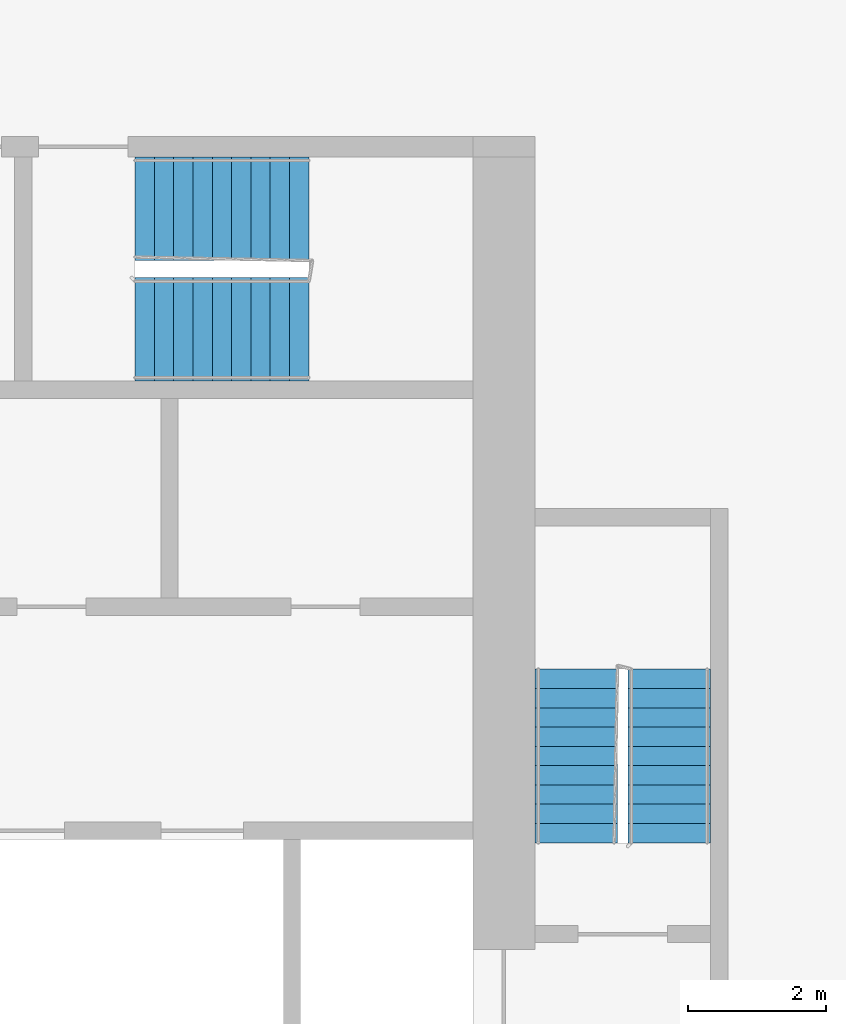
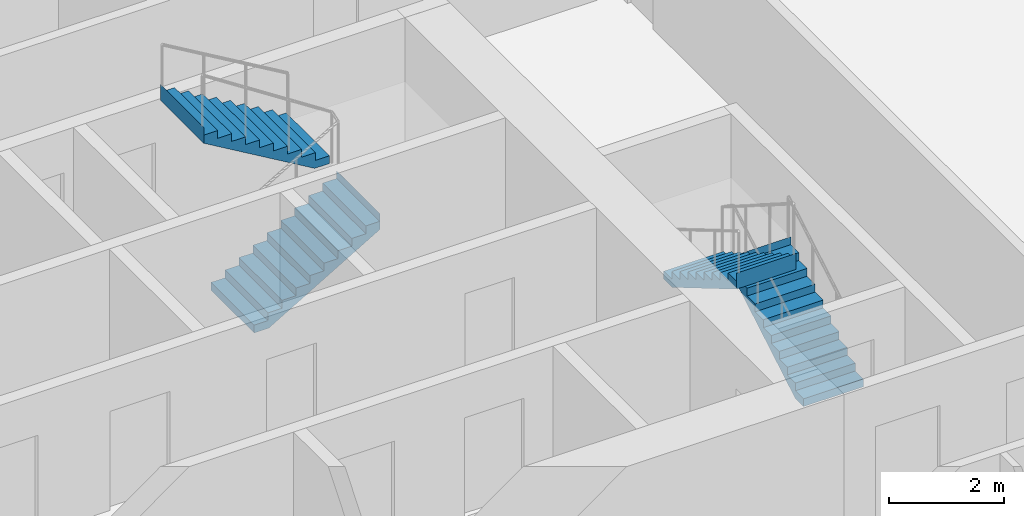
# One storey, part 10 of 11: 4 stair flights, 2 elements without a shape of their own.
"""IFC4 building model written with IfcOpenShell, lengths in metres."""

from ifc_helpers import new_model, si_unit, direction, frame, origin, place, context, subcontext, project, spatial, faceted_brep, material, type_object, element, aggregate, save


model = new_model("IFC4")

# Units and contexts
model_context = context("Model", 3, precision=1e-05, world=origin(), true_north=direction((0.0, 1.0)))
body_context = subcontext(model_context, "Body", "Model", "MODEL_VIEW")
ifc_project = project(units=[si_unit("LENGTHUNIT", "METRE"), si_unit("AREAUNIT", "SQUARE_METRE"), si_unit("VOLUMEUNIT", "CUBIC_METRE"), si_unit("PLANEANGLEUNIT", "RADIAN"), si_unit("MASSUNIT", "GRAM", prefix="KILO")], contexts=[model_context])

# Site, building, storey
site_placement = place(None, origin())
site = spatial("IfcSite", under=ifc_project, at=site_placement, CompositionType="ELEMENT")
building_placement = place(site_placement, origin())
building = spatial("IfcBuilding", under=site, at=building_placement, Name="Kajstack Hotel Tower", CompositionType="ELEMENT")
storey_placement = place(building_placement, frame((0.0, 0.0, 254.0)))
storey = spatial("IfcBuildingStorey", under=building, at=storey_placement, Name="L63", CompositionType="ELEMENT", Elevation=254.0)

# Stair, stair flights
ifc_material = material(Name="Concrete C40/50", Category="concrete")
stair_type_1 = type_object("IfcStairType", Name="Exit stair 1200", PredefinedType="HALF_TURN_STAIR", material=ifc_material)
stair_1_placement = place(storey_placement, origin())
stair_1 = element("IfcStair", 1, at=stair_1_placement, inside=storey, type_object=stair_type_1, Name="L63 stair E1", PredefinedType="HALF_TURN_STAIR")
stair_flight_type_1 = type_object("IfcStairFlightType", Name="Exit stair flight 1200", PredefinedType="STRAIGHT", material=ifc_material)
stair_flight_1_placement = place(storey_placement, frame((33.449951171875, 5.25, 0.0), z_axis=(0.0, 0.0, 1.0), x_axis=(0.0, 1.0, 0.0)))
stair_flight_1 = element("IfcStairFlight", 2, at=stair_flight_1_placement, type_object=stair_flight_type_1, Name="E1 flight 1", NumberOfRisers=10, NumberOfTreads=9, PredefinedType="STRAIGHT", RiserHeight=0.165, TreadLength=0.28, context=body_context, shape_type="Brep", body=[
    faceted_brep([(0.295654296875, -0.60009765625, 0.0), (2.5205078125, -0.60009765625, 1.31103515625), (2.5205078125, -0.60009765625, 1.64990234375), (2.52001953125, -0.60009765625, 1.64990234375), (2.52001953125, -0.60009765625, 1.485107421875), (2.239990234375, -0.60009765625, 1.485107421875), (2.239990234375, -0.60009765625, 1.320068359375), (1.9599609375, -0.60009765625, 1.320068359375), (1.9599609375, -0.60009765625, 1.155029296875), (1.679931640625, -0.60009765625, 1.155029296875), (1.679931640625, -0.60009765625, 0.989990234375), (1.39990234375, -0.60009765625, 0.989990234375), (1.39990234375, -0.60009765625, 0.824951171875), (1.1201171875, -0.60009765625, 0.824951171875), (1.1201171875, -0.60009765625, 0.659912109375), (0.840087890625, -0.60009765625, 0.659912109375), (0.840087890625, -0.60009765625, 0.4951171875), (0.56005859375, -0.60009765625, 0.4951171875), (0.56005859375, -0.60009765625, 0.330078125), (0.280029296875, -0.60009765625, 0.330078125), (0.280029296875, -0.60009765625, 0.1650390625), (-0.00048828125, -0.60009765625, 0.1650390625), (-0.00048828125, -0.60009765625, 0.0), (-0.00048828125, 0.60009765625, 0.0), (-0.00048828125, 0.60009765625, 0.1650390625), (0.280029296875, 0.60009765625, 0.1650390625), (0.280029296875, 0.60009765625, 0.330078125), (0.56005859375, 0.60009765625, 0.330078125), (0.56005859375, 0.60009765625, 0.4951171875), (0.840087890625, 0.60009765625, 0.4951171875), (0.840087890625, 0.60009765625, 0.659912109375), (1.1201171875, 0.60009765625, 0.659912109375), (1.1201171875, 0.60009765625, 0.824951171875), (1.39990234375, 0.60009765625, 0.824951171875), (1.39990234375, 0.60009765625, 0.989990234375), (1.679931640625, 0.60009765625, 0.989990234375), (1.679931640625, 0.60009765625, 1.155029296875), (1.9599609375, 0.60009765625, 1.155029296875), (1.9599609375, 0.60009765625, 1.320068359375), (2.239990234375, 0.60009765625, 1.320068359375), (2.239990234375, 0.60009765625, 1.485107421875), (2.52001953125, 0.60009765625, 1.485107421875), (2.52001953125, 0.60009765625, 1.64990234375), (2.5205078125, 0.60009765625, 1.64990234375), (2.5205078125, 0.60009765625, 1.31103515625), (0.295654296875, 0.60009765625, 0.0), (-0.00048828125, -0.300048828125, 0.1650390625), (-0.00048828125, 0.0, 0.1650390625), (-0.00048828125, 0.300048828125, 0.1650390625), (-0.00048828125, 0.300048828125, 0.0), (-0.00048828125, 0.0, 0.0), (-0.00048828125, -0.300048828125, 0.0), (0.280029296875, -0.300048828125, 0.1650390625), (0.280029296875, 0.0, 0.1650390625), (0.280029296875, 0.300048828125, 0.1650390625), (0.280029296875, -0.300048828125, 0.330078125), (0.280029296875, 0.0, 0.330078125), (0.280029296875, 0.300048828125, 0.330078125), (0.56005859375, -0.300048828125, 0.330078125), (0.56005859375, 0.0, 0.330078125), (0.56005859375, 0.300048828125, 0.330078125), (0.56005859375, -0.300048828125, 0.4951171875), (0.56005859375, 0.0, 0.4951171875), (0.56005859375, 0.300048828125, 0.4951171875), (0.840087890625, -0.300048828125, 0.4951171875), (0.840087890625, 0.0, 0.4951171875), (0.840087890625, 0.300048828125, 0.4951171875), (0.840087890625, -0.300048828125, 0.659912109375), (0.840087890625, 0.0, 0.659912109375), (0.840087890625, 0.300048828125, 0.659912109375), (1.1201171875, -0.300048828125, 0.659912109375), (1.1201171875, 0.0, 0.659912109375), (1.1201171875, 0.300048828125, 0.659912109375), (1.1201171875, -0.300048828125, 0.824951171875), (1.1201171875, 0.0, 0.824951171875), (1.1201171875, 0.300048828125, 0.824951171875), (1.39990234375, -0.300048828125, 0.824951171875), (1.39990234375, 0.0, 0.824951171875), (1.39990234375, 0.300048828125, 0.824951171875), (1.39990234375, -0.300048828125, 0.989990234375), (1.39990234375, 0.0, 0.989990234375), (1.39990234375, 0.300048828125, 0.989990234375), (1.679931640625, -0.300048828125, 0.989990234375), (1.679931640625, 0.0, 0.989990234375), (1.679931640625, 0.300048828125, 0.989990234375), (1.679931640625, -0.300048828125, 1.155029296875), (1.679931640625, 0.0, 1.155029296875), (1.679931640625, 0.300048828125, 1.155029296875), (1.9599609375, -0.300048828125, 1.155029296875), (1.9599609375, 0.0, 1.155029296875), (1.9599609375, 0.300048828125, 1.155029296875), (1.9599609375, -0.300048828125, 1.320068359375), (1.9599609375, 0.0, 1.320068359375), (1.9599609375, 0.300048828125, 1.320068359375), (2.239990234375, -0.300048828125, 1.320068359375), (2.239990234375, 0.0, 1.320068359375), (2.239990234375, 0.300048828125, 1.320068359375), (2.239990234375, -0.300048828125, 1.485107421875), (2.239990234375, 0.0, 1.485107421875), (2.239990234375, 0.300048828125, 1.485107421875), (2.52001953125, -0.300048828125, 1.485107421875), (2.52001953125, 0.0, 1.485107421875), (2.52001953125, 0.300048828125, 1.485107421875), (2.52001953125, -0.300048828125, 1.64990234375), (2.52001953125, 0.0, 1.64990234375), (2.52001953125, 0.300048828125, 1.64990234375), (2.5205078125, -0.300048828125, 1.64990234375), (2.5205078125, 0.0, 1.64990234375), (2.5205078125, 0.300048828125, 1.64990234375), (2.5205078125, -0.300048828125, 1.31103515625), (2.5205078125, 0.0, 1.31103515625), (2.5205078125, 0.300048828125, 1.31103515625), (0.295654296875, -0.300048828125, 0.0), (0.295654296875, 0.0, 0.0), (0.295654296875, 0.300048828125, 0.0)], [[[0, 1, 2, 3, 4, 5, 6, 7, 8, 9, 10, 11, 12, 13, 14, 15, 16, 17, 18, 19, 20, 21, 22]], [[23, 24, 25, 26, 27, 28, 29, 30, 31, 32, 33, 34, 35, 36, 37, 38, 39, 40, 41, 42, 43, 44, 45]], [[21, 46, 47, 48, 24, 23, 49, 50, 51, 22]], [[20, 52, 53, 54, 25, 24, 48, 47, 46, 21]], [[19, 55, 56, 57, 26, 25, 54, 53, 52, 20]], [[18, 58, 59, 60, 27, 26, 57, 56, 55, 19]], [[17, 61, 62, 63, 28, 27, 60, 59, 58, 18]], [[16, 64, 65, 66, 29, 28, 63, 62, 61, 17]], [[15, 67, 68, 69, 30, 29, 66, 65, 64, 16]], [[14, 70, 71, 72, 31, 30, 69, 68, 67, 15]], [[13, 73, 74, 75, 32, 31, 72, 71, 70, 14]], [[12, 76, 77, 78, 33, 32, 75, 74, 73, 13]], [[11, 79, 80, 81, 34, 33, 78, 77, 76, 12]], [[10, 82, 83, 84, 35, 34, 81, 80, 79, 11]], [[9, 85, 86, 87, 36, 35, 84, 83, 82, 10]], [[8, 88, 89, 90, 37, 36, 87, 86, 85, 9]], [[7, 91, 92, 93, 38, 37, 90, 89, 88, 8]], [[6, 94, 95, 96, 39, 38, 93, 92, 91, 7]], [[5, 97, 98, 99, 40, 39, 96, 95, 94, 6]], [[4, 100, 101, 102, 41, 40, 99, 98, 97, 5]], [[3, 103, 104, 105, 42, 41, 102, 101, 100, 4]], [[2, 106, 107, 108, 43, 42, 105, 104, 103, 3]], [[1, 109, 110, 111, 44, 43, 108, 107, 106, 2]], [[0, 112, 113, 114, 45, 44, 111, 110, 109, 1]], [[22, 51, 50, 49, 23, 45, 114, 113, 112, 0]]]),
])
stair_flight_2_placement = place(storey_placement, frame((32.10009765625, 7.77001953125, 1.64990234375), z_axis=(0.0, 0.0, 1.0), x_axis=(0.0, -1.0, 0.0)))
stair_flight_2 = element("IfcStairFlight", 3, at=stair_flight_2_placement, type_object=stair_flight_type_1, Name="E1 flight 2", NumberOfRisers=10, NumberOfTreads=9, PredefinedType="STRAIGHT", RiserHeight=0.165, TreadLength=0.28, context=body_context, shape_type="Brep", body=[
    faceted_brep([(0.295654296875, -0.60009765625, 0.0), (2.5205078125, -0.60009765625, 1.31103515625), (2.5205078125, -0.60009765625, 1.64990234375), (2.52001953125, -0.60009765625, 1.64990234375), (2.52001953125, -0.60009765625, 1.485107421875), (2.239990234375, -0.60009765625, 1.485107421875), (2.239990234375, -0.60009765625, 1.320068359375), (1.9599609375, -0.60009765625, 1.320068359375), (1.9599609375, -0.60009765625, 1.155029296875), (1.679931640625, -0.60009765625, 1.155029296875), (1.679931640625, -0.60009765625, 0.989990234375), (1.39990234375, -0.60009765625, 0.989990234375), (1.39990234375, -0.60009765625, 0.824951171875), (1.1201171875, -0.60009765625, 0.824951171875), (1.1201171875, -0.60009765625, 0.659912109375), (0.840087890625, -0.60009765625, 0.659912109375), (0.840087890625, -0.60009765625, 0.4951171875), (0.56005859375, -0.60009765625, 0.4951171875), (0.56005859375, -0.60009765625, 0.330078125), (0.280029296875, -0.60009765625, 0.330078125), (0.280029296875, -0.60009765625, 0.1650390625), (-0.00048828125, -0.60009765625, 0.1650390625), (-0.00048828125, -0.60009765625, 0.0), (-0.00048828125, 0.60009765625, 0.0), (-0.00048828125, 0.60009765625, 0.1650390625), (0.280029296875, 0.60009765625, 0.1650390625), (0.280029296875, 0.60009765625, 0.330078125), (0.56005859375, 0.60009765625, 0.330078125), (0.56005859375, 0.60009765625, 0.4951171875), (0.840087890625, 0.60009765625, 0.4951171875), (0.840087890625, 0.60009765625, 0.659912109375), (1.1201171875, 0.60009765625, 0.659912109375), (1.1201171875, 0.60009765625, 0.824951171875), (1.39990234375, 0.60009765625, 0.824951171875), (1.39990234375, 0.60009765625, 0.989990234375), (1.679931640625, 0.60009765625, 0.989990234375), (1.679931640625, 0.60009765625, 1.155029296875), (1.9599609375, 0.60009765625, 1.155029296875), (1.9599609375, 0.60009765625, 1.320068359375), (2.239990234375, 0.60009765625, 1.320068359375), (2.239990234375, 0.60009765625, 1.485107421875), (2.52001953125, 0.60009765625, 1.485107421875), (2.52001953125, 0.60009765625, 1.64990234375), (2.5205078125, 0.60009765625, 1.64990234375), (2.5205078125, 0.60009765625, 1.31103515625), (0.295654296875, 0.60009765625, 0.0), (-0.00048828125, -0.300048828125, 0.1650390625), (-0.00048828125, 0.0, 0.1650390625), (-0.00048828125, 0.300048828125, 0.1650390625), (-0.00048828125, 0.300048828125, 0.0), (-0.00048828125, 0.0, 0.0), (-0.00048828125, -0.300048828125, 0.0), (0.280029296875, -0.300048828125, 0.1650390625), (0.280029296875, 0.0, 0.1650390625), (0.280029296875, 0.300048828125, 0.1650390625), (0.280029296875, -0.300048828125, 0.330078125), (0.280029296875, 0.0, 0.330078125), (0.280029296875, 0.300048828125, 0.330078125), (0.56005859375, -0.300048828125, 0.330078125), (0.56005859375, 0.0, 0.330078125), (0.56005859375, 0.300048828125, 0.330078125), (0.56005859375, -0.300048828125, 0.4951171875), (0.56005859375, 0.0, 0.4951171875), (0.56005859375, 0.300048828125, 0.4951171875), (0.840087890625, -0.300048828125, 0.4951171875), (0.840087890625, 0.0, 0.4951171875), (0.840087890625, 0.300048828125, 0.4951171875), (0.840087890625, -0.300048828125, 0.659912109375), (0.840087890625, 0.0, 0.659912109375), (0.840087890625, 0.300048828125, 0.659912109375), (1.1201171875, -0.300048828125, 0.659912109375), (1.1201171875, 0.0, 0.659912109375), (1.1201171875, 0.300048828125, 0.659912109375), (1.1201171875, -0.300048828125, 0.824951171875), (1.1201171875, 0.0, 0.824951171875), (1.1201171875, 0.300048828125, 0.824951171875), (1.39990234375, -0.300048828125, 0.824951171875), (1.39990234375, 0.0, 0.824951171875), (1.39990234375, 0.300048828125, 0.824951171875), (1.39990234375, -0.300048828125, 0.989990234375), (1.39990234375, 0.0, 0.989990234375), (1.39990234375, 0.300048828125, 0.989990234375), (1.679931640625, -0.300048828125, 0.989990234375), (1.679931640625, 0.0, 0.989990234375), (1.679931640625, 0.300048828125, 0.989990234375), (1.679931640625, -0.300048828125, 1.155029296875), (1.679931640625, 0.0, 1.155029296875), (1.679931640625, 0.300048828125, 1.155029296875), (1.9599609375, -0.300048828125, 1.155029296875), (1.9599609375, 0.0, 1.155029296875), (1.9599609375, 0.300048828125, 1.155029296875), (1.9599609375, -0.300048828125, 1.320068359375), (1.9599609375, 0.0, 1.320068359375), (1.9599609375, 0.300048828125, 1.320068359375), (2.239990234375, -0.300048828125, 1.320068359375), (2.239990234375, 0.0, 1.320068359375), (2.239990234375, 0.300048828125, 1.320068359375), (2.239990234375, -0.300048828125, 1.485107421875), (2.239990234375, 0.0, 1.485107421875), (2.239990234375, 0.300048828125, 1.485107421875), (2.52001953125, -0.300048828125, 1.485107421875), (2.52001953125, 0.0, 1.485107421875), (2.52001953125, 0.300048828125, 1.485107421875), (2.52001953125, -0.300048828125, 1.64990234375), (2.52001953125, 0.0, 1.64990234375), (2.52001953125, 0.300048828125, 1.64990234375), (2.5205078125, -0.300048828125, 1.64990234375), (2.5205078125, 0.0, 1.64990234375), (2.5205078125, 0.300048828125, 1.64990234375), (2.5205078125, -0.300048828125, 1.31103515625), (2.5205078125, 0.0, 1.31103515625), (2.5205078125, 0.300048828125, 1.31103515625), (0.295654296875, -0.300048828125, 0.0), (0.295654296875, 0.0, 0.0), (0.295654296875, 0.300048828125, 0.0)], [[[0, 1, 2, 3, 4, 5, 6, 7, 8, 9, 10, 11, 12, 13, 14, 15, 16, 17, 18, 19, 20, 21, 22]], [[23, 24, 25, 26, 27, 28, 29, 30, 31, 32, 33, 34, 35, 36, 37, 38, 39, 40, 41, 42, 43, 44, 45]], [[21, 46, 47, 48, 24, 23, 49, 50, 51, 22]], [[20, 52, 53, 54, 25, 24, 48, 47, 46, 21]], [[19, 55, 56, 57, 26, 25, 54, 53, 52, 20]], [[18, 58, 59, 60, 27, 26, 57, 56, 55, 19]], [[17, 61, 62, 63, 28, 27, 60, 59, 58, 18]], [[16, 64, 65, 66, 29, 28, 63, 62, 61, 17]], [[15, 67, 68, 69, 30, 29, 66, 65, 64, 16]], [[14, 70, 71, 72, 31, 30, 69, 68, 67, 15]], [[13, 73, 74, 75, 32, 31, 72, 71, 70, 14]], [[12, 76, 77, 78, 33, 32, 75, 74, 73, 13]], [[11, 79, 80, 81, 34, 33, 78, 77, 76, 12]], [[10, 82, 83, 84, 35, 34, 81, 80, 79, 11]], [[9, 85, 86, 87, 36, 35, 84, 83, 82, 10]], [[8, 88, 89, 90, 37, 36, 87, 86, 85, 9]], [[7, 91, 92, 93, 38, 37, 90, 89, 88, 8]], [[6, 94, 95, 96, 39, 38, 93, 92, 91, 7]], [[5, 97, 98, 99, 40, 39, 96, 95, 94, 6]], [[4, 100, 101, 102, 41, 40, 99, 98, 97, 5]], [[3, 103, 104, 105, 42, 41, 102, 101, 100, 4]], [[2, 106, 107, 108, 43, 42, 105, 104, 103, 3]], [[1, 109, 110, 111, 44, 43, 108, 107, 106, 2]], [[0, 112, 113, 114, 45, 44, 111, 110, 109, 1]], [[22, 51, 50, 49, 23, 45, 114, 113, 112, 0]]]),
])
aggregate(stair_1, [stair_flight_1, stair_flight_2])

stair_type_2 = type_object("IfcStairType", Name="Exit stair 1500", PredefinedType="HALF_TURN_STAIR", material=ifc_material)
stair_2_placement = place(storey_placement, origin())
stair_2 = element("IfcStair", 4, at=stair_2_placement, inside=storey, type_object=stair_type_2, Name="L63 stair E3", PredefinedType="HALF_TURN_STAIR")
stair_flight_type_2 = type_object("IfcStairFlightType", Name="Exit stair flight 1500", PredefinedType="STRAIGHT", material=ifc_material)
stair_flight_3_placement = place(storey_placement, frame((25.699951171875, 12.699951171875, 0.0), z_axis=(0.0, 0.0, 1.0), x_axis=(1.0, 0.0, 0.0)))
stair_flight_3 = element("IfcStairFlight", 5, at=stair_flight_3_placement, type_object=stair_flight_type_2, Name="E3 flight 1", NumberOfRisers=10, NumberOfTreads=9, PredefinedType="STRAIGHT", RiserHeight=0.165, TreadLength=0.28, context=body_context, shape_type="Brep", body=[
    faceted_brep([(0.295654296875, -0.75, 0.0), (2.5205078125, -0.75, 1.31103515625), (2.5205078125, -0.75, 1.64990234375), (2.52001953125, -0.75, 1.64990234375), (2.52001953125, -0.75, 1.485107421875), (2.239990234375, -0.75, 1.485107421875), (2.239990234375, -0.75, 1.320068359375), (1.9599609375, -0.75, 1.320068359375), (1.9599609375, -0.75, 1.155029296875), (1.679931640625, -0.75, 1.155029296875), (1.679931640625, -0.75, 0.989990234375), (1.39990234375, -0.75, 0.989990234375), (1.39990234375, -0.75, 0.824951171875), (1.1201171875, -0.75, 0.824951171875), (1.1201171875, -0.75, 0.659912109375), (0.840087890625, -0.75, 0.659912109375), (0.840087890625, -0.75, 0.4951171875), (0.56005859375, -0.75, 0.4951171875), (0.56005859375, -0.75, 0.330078125), (0.280029296875, -0.75, 0.330078125), (0.280029296875, -0.75, 0.1650390625), (-0.00048828125, -0.75, 0.1650390625), (-0.00048828125, -0.75, 0.0), (-0.00048828125, 0.75, 0.0), (-0.00048828125, 0.75, 0.1650390625), (0.280029296875, 0.75, 0.1650390625), (0.280029296875, 0.75, 0.330078125), (0.56005859375, 0.75, 0.330078125), (0.56005859375, 0.75, 0.4951171875), (0.840087890625, 0.75, 0.4951171875), (0.840087890625, 0.75, 0.659912109375), (1.1201171875, 0.75, 0.659912109375), (1.1201171875, 0.75, 0.824951171875), (1.39990234375, 0.75, 0.824951171875), (1.39990234375, 0.75, 0.989990234375), (1.679931640625, 0.75, 0.989990234375), (1.679931640625, 0.75, 1.155029296875), (1.9599609375, 0.75, 1.155029296875), (1.9599609375, 0.75, 1.320068359375), (2.239990234375, 0.75, 1.320068359375), (2.239990234375, 0.75, 1.485107421875), (2.52001953125, 0.75, 1.485107421875), (2.52001953125, 0.75, 1.64990234375), (2.5205078125, 0.75, 1.64990234375), (2.5205078125, 0.75, 1.31103515625), (0.295654296875, 0.75, 0.0), (-0.00048828125, -0.375, 0.1650390625), (-0.00048828125, 0.0, 0.1650390625), (-0.00048828125, 0.375, 0.1650390625), (-0.00048828125, 0.375, 0.0), (-0.00048828125, 0.0, 0.0), (-0.00048828125, -0.375, 0.0), (0.280029296875, -0.375, 0.1650390625), (0.280029296875, 0.0, 0.1650390625), (0.280029296875, 0.375, 0.1650390625), (0.280029296875, -0.375, 0.330078125), (0.280029296875, 0.0, 0.330078125), (0.280029296875, 0.375, 0.330078125), (0.56005859375, -0.375, 0.330078125), (0.56005859375, 0.0, 0.330078125), (0.56005859375, 0.375, 0.330078125), (0.56005859375, -0.375, 0.4951171875), (0.56005859375, 0.0, 0.4951171875), (0.56005859375, 0.375, 0.4951171875), (0.840087890625, -0.375, 0.4951171875), (0.840087890625, 0.0, 0.4951171875), (0.840087890625, 0.375, 0.4951171875), (0.840087890625, -0.375, 0.659912109375), (0.840087890625, 0.0, 0.659912109375), (0.840087890625, 0.375, 0.659912109375), (1.1201171875, -0.375, 0.659912109375), (1.1201171875, 0.0, 0.659912109375), (1.1201171875, 0.375, 0.659912109375), (1.1201171875, -0.375, 0.824951171875), (1.1201171875, 0.0, 0.824951171875), (1.1201171875, 0.375, 0.824951171875), (1.39990234375, -0.375, 0.824951171875), (1.39990234375, 0.0, 0.824951171875), (1.39990234375, 0.375, 0.824951171875), (1.39990234375, -0.375, 0.989990234375), (1.39990234375, 0.0, 0.989990234375), (1.39990234375, 0.375, 0.989990234375), (1.679931640625, -0.375, 0.989990234375), (1.679931640625, 0.0, 0.989990234375), (1.679931640625, 0.375, 0.989990234375), (1.679931640625, -0.375, 1.155029296875), (1.679931640625, 0.0, 1.155029296875), (1.679931640625, 0.375, 1.155029296875), (1.9599609375, -0.375, 1.155029296875), (1.9599609375, 0.0, 1.155029296875), (1.9599609375, 0.375, 1.155029296875), (1.9599609375, -0.375, 1.320068359375), (1.9599609375, 0.0, 1.320068359375), (1.9599609375, 0.375, 1.320068359375), (2.239990234375, -0.375, 1.320068359375), (2.239990234375, 0.0, 1.320068359375), (2.239990234375, 0.375, 1.320068359375), (2.239990234375, -0.375, 1.485107421875), (2.239990234375, 0.0, 1.485107421875), (2.239990234375, 0.375, 1.485107421875), (2.52001953125, -0.375, 1.485107421875), (2.52001953125, 0.0, 1.485107421875), (2.52001953125, 0.375, 1.485107421875), (2.52001953125, -0.375, 1.64990234375), (2.52001953125, 0.0, 1.64990234375), (2.52001953125, 0.375, 1.64990234375), (2.5205078125, -0.375, 1.64990234375), (2.5205078125, 0.0, 1.64990234375), (2.5205078125, 0.375, 1.64990234375), (2.5205078125, -0.375, 1.31103515625), (2.5205078125, 0.0, 1.31103515625), (2.5205078125, 0.375, 1.31103515625), (0.295654296875, -0.375, 0.0), (0.295654296875, 0.0, 0.0), (0.295654296875, 0.375, 0.0)], [[[0, 1, 2, 3, 4, 5, 6, 7, 8, 9, 10, 11, 12, 13, 14, 15, 16, 17, 18, 19, 20, 21, 22]], [[23, 24, 25, 26, 27, 28, 29, 30, 31, 32, 33, 34, 35, 36, 37, 38, 39, 40, 41, 42, 43, 44, 45]], [[21, 46, 47, 48, 24, 23, 49, 50, 51, 22]], [[20, 52, 53, 54, 25, 24, 48, 47, 46, 21]], [[19, 55, 56, 57, 26, 25, 54, 53, 52, 20]], [[18, 58, 59, 60, 27, 26, 57, 56, 55, 19]], [[17, 61, 62, 63, 28, 27, 60, 59, 58, 18]], [[16, 64, 65, 66, 29, 28, 63, 62, 61, 17]], [[15, 67, 68, 69, 30, 29, 66, 65, 64, 16]], [[14, 70, 71, 72, 31, 30, 69, 68, 67, 15]], [[13, 73, 74, 75, 32, 31, 72, 71, 70, 14]], [[12, 76, 77, 78, 33, 32, 75, 74, 73, 13]], [[11, 79, 80, 81, 34, 33, 78, 77, 76, 12]], [[10, 82, 83, 84, 35, 34, 81, 80, 79, 11]], [[9, 85, 86, 87, 36, 35, 84, 83, 82, 10]], [[8, 88, 89, 90, 37, 36, 87, 86, 85, 9]], [[7, 91, 92, 93, 38, 37, 90, 89, 88, 8]], [[6, 94, 95, 96, 39, 38, 93, 92, 91, 7]], [[5, 97, 98, 99, 40, 39, 96, 95, 94, 6]], [[4, 100, 101, 102, 41, 40, 99, 98, 97, 5]], [[3, 103, 104, 105, 42, 41, 102, 101, 100, 4]], [[2, 106, 107, 108, 43, 42, 105, 104, 103, 3]], [[1, 109, 110, 111, 44, 43, 108, 107, 106, 2]], [[0, 112, 113, 114, 45, 44, 111, 110, 109, 1]], [[22, 51, 50, 49, 23, 45, 114, 113, 112, 0]]]),
])
stair_flight_4_placement = place(storey_placement, frame((28.219970703125, 14.449951171875, 1.64990234375), z_axis=(0.0, 0.0, 1.0), x_axis=(-1.0, 0.0, 0.0)))
stair_flight_4 = element("IfcStairFlight", 6, at=stair_flight_4_placement, type_object=stair_flight_type_2, Name="E3 flight 2", NumberOfRisers=10, NumberOfTreads=9, PredefinedType="STRAIGHT", RiserHeight=0.165, TreadLength=0.28, context=body_context, shape_type="Brep", body=[
    faceted_brep([(0.295654296875, -0.75, 0.0), (2.5205078125, -0.75, 1.31103515625), (2.5205078125, -0.75, 1.64990234375), (2.52001953125, -0.75, 1.64990234375), (2.52001953125, -0.75, 1.485107421875), (2.239990234375, -0.75, 1.485107421875), (2.239990234375, -0.75, 1.320068359375), (1.9599609375, -0.75, 1.320068359375), (1.9599609375, -0.75, 1.155029296875), (1.679931640625, -0.75, 1.155029296875), (1.679931640625, -0.75, 0.989990234375), (1.39990234375, -0.75, 0.989990234375), (1.39990234375, -0.75, 0.824951171875), (1.1201171875, -0.75, 0.824951171875), (1.1201171875, -0.75, 0.659912109375), (0.840087890625, -0.75, 0.659912109375), (0.840087890625, -0.75, 0.4951171875), (0.56005859375, -0.75, 0.4951171875), (0.56005859375, -0.75, 0.330078125), (0.280029296875, -0.75, 0.330078125), (0.280029296875, -0.75, 0.1650390625), (-0.00048828125, -0.75, 0.1650390625), (-0.00048828125, -0.75, 0.0), (-0.00048828125, 0.75, 0.0), (-0.00048828125, 0.75, 0.1650390625), (0.280029296875, 0.75, 0.1650390625), (0.280029296875, 0.75, 0.330078125), (0.56005859375, 0.75, 0.330078125), (0.56005859375, 0.75, 0.4951171875), (0.840087890625, 0.75, 0.4951171875), (0.840087890625, 0.75, 0.659912109375), (1.1201171875, 0.75, 0.659912109375), (1.1201171875, 0.75, 0.824951171875), (1.39990234375, 0.75, 0.824951171875), (1.39990234375, 0.75, 0.989990234375), (1.679931640625, 0.75, 0.989990234375), (1.679931640625, 0.75, 1.155029296875), (1.9599609375, 0.75, 1.155029296875), (1.9599609375, 0.75, 1.320068359375), (2.239990234375, 0.75, 1.320068359375), (2.239990234375, 0.75, 1.485107421875), (2.52001953125, 0.75, 1.485107421875), (2.52001953125, 0.75, 1.64990234375), (2.5205078125, 0.75, 1.64990234375), (2.5205078125, 0.75, 1.31103515625), (0.295654296875, 0.75, 0.0), (-0.00048828125, -0.375, 0.1650390625), (-0.00048828125, 0.0, 0.1650390625), (-0.00048828125, 0.375, 0.1650390625), (-0.00048828125, 0.375, 0.0), (-0.00048828125, 0.0, 0.0), (-0.00048828125, -0.375, 0.0), (0.280029296875, -0.375, 0.1650390625), (0.280029296875, 0.0, 0.1650390625), (0.280029296875, 0.375, 0.1650390625), (0.280029296875, -0.375, 0.330078125), (0.280029296875, 0.0, 0.330078125), (0.280029296875, 0.375, 0.330078125), (0.56005859375, -0.375, 0.330078125), (0.56005859375, 0.0, 0.330078125), (0.56005859375, 0.375, 0.330078125), (0.56005859375, -0.375, 0.4951171875), (0.56005859375, 0.0, 0.4951171875), (0.56005859375, 0.375, 0.4951171875), (0.840087890625, -0.375, 0.4951171875), (0.840087890625, 0.0, 0.4951171875), (0.840087890625, 0.375, 0.4951171875), (0.840087890625, -0.375, 0.659912109375), (0.840087890625, 0.0, 0.659912109375), (0.840087890625, 0.375, 0.659912109375), (1.1201171875, -0.375, 0.659912109375), (1.1201171875, 0.0, 0.659912109375), (1.1201171875, 0.375, 0.659912109375), (1.1201171875, -0.375, 0.824951171875), (1.1201171875, 0.0, 0.824951171875), (1.1201171875, 0.375, 0.824951171875), (1.39990234375, -0.375, 0.824951171875), (1.39990234375, 0.0, 0.824951171875), (1.39990234375, 0.375, 0.824951171875), (1.39990234375, -0.375, 0.989990234375), (1.39990234375, 0.0, 0.989990234375), (1.39990234375, 0.375, 0.989990234375), (1.679931640625, -0.375, 0.989990234375), (1.679931640625, 0.0, 0.989990234375), (1.679931640625, 0.375, 0.989990234375), (1.679931640625, -0.375, 1.155029296875), (1.679931640625, 0.0, 1.155029296875), (1.679931640625, 0.375, 1.155029296875), (1.9599609375, -0.375, 1.155029296875), (1.9599609375, 0.0, 1.155029296875), (1.9599609375, 0.375, 1.155029296875), (1.9599609375, -0.375, 1.320068359375), (1.9599609375, 0.0, 1.320068359375), (1.9599609375, 0.375, 1.320068359375), (2.239990234375, -0.375, 1.320068359375), (2.239990234375, 0.0, 1.320068359375), (2.239990234375, 0.375, 1.320068359375), (2.239990234375, -0.375, 1.485107421875), (2.239990234375, 0.0, 1.485107421875), (2.239990234375, 0.375, 1.485107421875), (2.52001953125, -0.375, 1.485107421875), (2.52001953125, 0.0, 1.485107421875), (2.52001953125, 0.375, 1.485107421875), (2.52001953125, -0.375, 1.64990234375), (2.52001953125, 0.0, 1.64990234375), (2.52001953125, 0.375, 1.64990234375), (2.5205078125, -0.375, 1.64990234375), (2.5205078125, 0.0, 1.64990234375), (2.5205078125, 0.375, 1.64990234375), (2.5205078125, -0.375, 1.31103515625), (2.5205078125, 0.0, 1.31103515625), (2.5205078125, 0.375, 1.31103515625), (0.295654296875, -0.375, 0.0), (0.295654296875, 0.0, 0.0), (0.295654296875, 0.375, 0.0)], [[[0, 1, 2, 3, 4, 5, 6, 7, 8, 9, 10, 11, 12, 13, 14, 15, 16, 17, 18, 19, 20, 21, 22]], [[23, 24, 25, 26, 27, 28, 29, 30, 31, 32, 33, 34, 35, 36, 37, 38, 39, 40, 41, 42, 43, 44, 45]], [[21, 46, 47, 48, 24, 23, 49, 50, 51, 22]], [[20, 52, 53, 54, 25, 24, 48, 47, 46, 21]], [[19, 55, 56, 57, 26, 25, 54, 53, 52, 20]], [[18, 58, 59, 60, 27, 26, 57, 56, 55, 19]], [[17, 61, 62, 63, 28, 27, 60, 59, 58, 18]], [[16, 64, 65, 66, 29, 28, 63, 62, 61, 17]], [[15, 67, 68, 69, 30, 29, 66, 65, 64, 16]], [[14, 70, 71, 72, 31, 30, 69, 68, 67, 15]], [[13, 73, 74, 75, 32, 31, 72, 71, 70, 14]], [[12, 76, 77, 78, 33, 32, 75, 74, 73, 13]], [[11, 79, 80, 81, 34, 33, 78, 77, 76, 12]], [[10, 82, 83, 84, 35, 34, 81, 80, 79, 11]], [[9, 85, 86, 87, 36, 35, 84, 83, 82, 10]], [[8, 88, 89, 90, 37, 36, 87, 86, 85, 9]], [[7, 91, 92, 93, 38, 37, 90, 89, 88, 8]], [[6, 94, 95, 96, 39, 38, 93, 92, 91, 7]], [[5, 97, 98, 99, 40, 39, 96, 95, 94, 6]], [[4, 100, 101, 102, 41, 40, 99, 98, 97, 5]], [[3, 103, 104, 105, 42, 41, 102, 101, 100, 4]], [[2, 106, 107, 108, 43, 42, 105, 104, 103, 3]], [[1, 109, 110, 111, 44, 43, 108, 107, 106, 2]], [[0, 112, 113, 114, 45, 44, 111, 110, 109, 1]], [[22, 51, 50, 49, 23, 45, 114, 113, 112, 0]]]),
])
aggregate(stair_2, [stair_flight_3, stair_flight_4])

save(model, "model.ifc")
